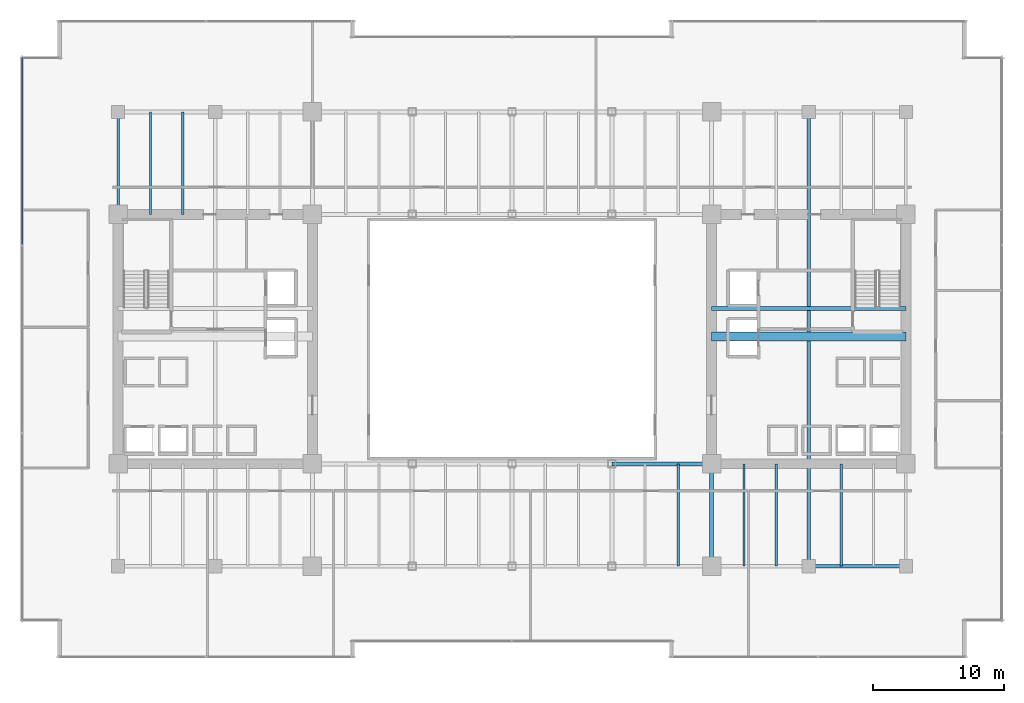
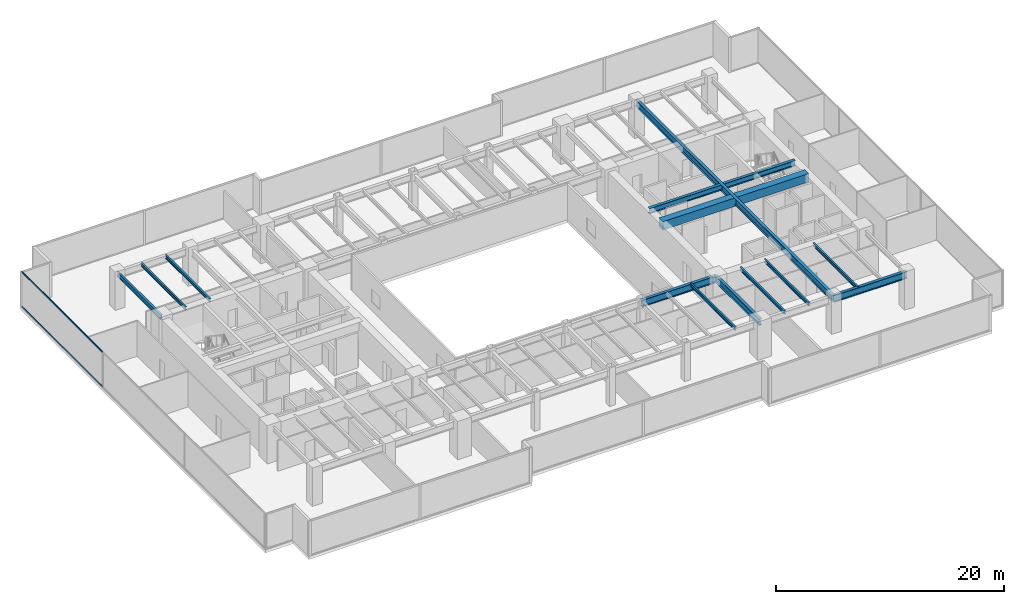
# One storey, part 11 of 35: 13 beams, 2 members, 1 element without a shape of its own.
"""IFC4 building model written with IfcOpenShell, lengths in metres."""

from ifc_helpers import new_model, si_unit, direction, frame, origin, origin_2d, place, context, subcontext, project, spatial, rectangle, hollow_rectangle, i_section, extrude, source, transform, mapped, material, layer, layer_set, material_profile, profile_set, type_object, type_shapes, element, aggregate, save


model = new_model("IFC4")

# Units and contexts
model_context = context("Model", 3, precision=1e-05, world=origin(), true_north=direction((0.0, 1.0)))
body_context = subcontext(model_context, "Body", "Model", "MODEL_VIEW")
ifc_project = project(units=[si_unit("LENGTHUNIT", "METRE"), si_unit("AREAUNIT", "SQUARE_METRE"), si_unit("VOLUMEUNIT", "CUBIC_METRE"), si_unit("PLANEANGLEUNIT", "RADIAN"), si_unit("MASSUNIT", "GRAM", prefix="KILO")], contexts=[model_context])

# Site, building, storey
site_placement = place(None, origin())
site = spatial("IfcSite", under=ifc_project, at=site_placement, CompositionType="ELEMENT")
building_placement = place(site_placement, origin())
building = spatial("IfcBuilding", under=site, at=building_placement, Name="Haelvirn Gate Laboratories", CompositionType="ELEMENT")
storey_placement = place(building_placement, frame((0.0, 0.0, 41.60009765625)))
storey = spatial("IfcBuildingStorey", under=building, at=storey_placement, Name="L10", CompositionType="ELEMENT", Elevation=41.60009765625)

# Beams
ifc_material_1 = material(Name="Concrete C60/75", Category="concrete")
ifc_material_profile_1 = material_profile(ifc_material_1, rectangle(XDim=0.699951171875, YDim=0.89990234375, at=origin_2d()), Name="RCB-700x900")
ifc_profile_set_1 = profile_set([ifc_material_profile_1], Name="Concrete C60/75")
beam_type_1 = type_object("IfcBeamType", Name="BM-RCB-900", PredefinedType="LINTEL", material=ifc_profile_set_1)
shared_shape_1 = source(origin(), body_context, "Body", "SweptSolid", [
    extrude(rectangle(XDim=0.699951171875, YDim=0.89990234375, at=origin_2d()), origin(), (0.0, 0.0, 1.0), 14.7998046875),
])
type_shapes(beam_type_1, [shared_shape_1])
beam_1_placement = place(storey_placement, frame((52.60009765625, 24.5, 3.329833984375), z_axis=(1.0, 0.0, 0.0), x_axis=(0.0, 1.0, 0.0)))
element("IfcBeam", 1, at=beam_1_placement, inside=storey, type_object=beam_type_1, Name="L10 East Core Coupling Beam", PredefinedType="LINTEL", context=body_context, shape_type="MappedRepresentation", body=[
    mapped(shared_shape_1, transform((0.0, 0.0, 0.0), scale=1.0)),
])
ifc_material_2 = material(Name="Steel SM355", Category="steel")
ifc_material_profile_2 = material_profile(ifc_material_2, i_section(OverallWidth=0.300048828125, OverallDepth=0.587890625, WebThickness=0.011962890625, FlangeThickness=0.02001953125, at=origin_2d()), Name="H-588x300x12x20")
ifc_profile_set_2 = profile_set([ifc_material_profile_2], Name="Steel SM355")
beam_type_2 = type_object("IfcBeamType", Name="BM-G-588", PredefinedType="BEAM", material=ifc_profile_set_2)
shared_shape_2 = source(origin(), body_context, "Body", "SweptSolid", [
    extrude(i_section(OverallWidth=0.300048828125, OverallDepth=0.587890625, WebThickness=0.011962890625, FlangeThickness=0.02001953125, at=origin_2d()), origin(), (0.0, 0.0, 1.0), 14.7998046875),
])
type_shapes(beam_type_2, [shared_shape_2])
beam_2_placement = place(storey_placement, frame((52.60009765625, 26.6201171875, 3.48583984375), z_axis=(1.0, 0.0, 0.0), x_axis=(0.0, 1.0, 0.0)))
element("IfcBeam", 2, at=beam_2_placement, inside=storey, type_object=beam_type_2, Name="L10 Stair ST2 Landing Header", PredefinedType="BEAM", context=body_context, shape_type="MappedRepresentation", body=[
    mapped(shared_shape_2, transform((0.0, 0.0, 0.0), scale=1.0)),
])
ifc_material_profile_3 = material_profile(ifc_material_2, i_section(OverallWidth=0.300048828125, OverallDepth=0.699951171875, WebThickness=0.012939453125, FlangeThickness=0.02392578125, at=origin_2d()), Name="H-700x300x13x24")
ifc_profile_set_3 = profile_set([ifc_material_profile_3], Name="Steel SM355")
beam_type_3 = type_object("IfcBeamType", Name="BM-G-700", PredefinedType="BEAM", material=ifc_profile_set_3)
shared_shape_3 = source(origin(), body_context, "Body", "SweptSolid", [
    extrude(i_section(OverallWidth=0.300048828125, OverallDepth=0.699951171875, WebThickness=0.012939453125, FlangeThickness=0.02392578125, at=origin_2d()), origin(), (0.0, 0.0, 1.0), 7.800048828125),
])
beam_3_placement = place(storey_placement, frame((52.60009765625, 7.0, 3.429931640625), z_axis=(0.0, 1.0, 0.0), x_axis=(-1.0, 0.0, 0.0)))
element("IfcBeam", 3, at=beam_3_placement, inside=storey, type_object=beam_type_3, Name="L10 Frame Girder X52.6 (7.0-14.8)", PredefinedType="BEAM", context=body_context, shape_type="MappedRepresentation", body=[
    mapped(shared_shape_3, transform((0.0, 0.0, 0.0), scale=1.0)),
])
shared_shape_4 = source(origin(), body_context, "Body", "SweptSolid", [
    extrude(i_section(OverallWidth=0.300048828125, OverallDepth=0.699951171875, WebThickness=0.012939453125, FlangeThickness=0.02392578125, at=origin_2d()), origin(), (0.0, 0.0, 1.0), 34.60009765625),
])
type_shapes(beam_type_3, [shared_shape_3, shared_shape_4])
beam_4_placement = place(storey_placement, frame((60.0, 7.0, 3.429931640625), z_axis=(0.0, 1.0, 0.0), x_axis=(-1.0, 0.0, 0.0)))
element("IfcBeam", 4, at=beam_4_placement, inside=storey, type_object=beam_type_3, Name="L10 Frame Girder X60.0 (7.0-41.6)", PredefinedType="BEAM", context=body_context, shape_type="MappedRepresentation", body=[
    mapped(shared_shape_4, transform((0.0, 0.0, 0.0), scale=1.0)),
])
ifc_material_profile_4 = material_profile(ifc_material_2, i_section(OverallWidth=0.300048828125, OverallDepth=0.75, WebThickness=0.013916015625, FlangeThickness=0.02392578125, at=origin_2d()), Name="H-750x300x14x24")
ifc_profile_set_4 = profile_set([ifc_material_profile_4], Name="Steel SM355")
beam_type_4 = type_object("IfcBeamType", Name="BM-G-750", PredefinedType="BEAM", material=ifc_profile_set_4)
shared_shape_5 = source(origin(), body_context, "Body", "SweptSolid", [
    extrude(i_section(OverallWidth=0.300048828125, OverallDepth=0.75, WebThickness=0.013916015625, FlangeThickness=0.02392578125, at=origin_2d()), origin(), (0.0, 0.0, 1.0), 7.39990234375),
])
beam_5_placement = place(storey_placement, frame((60.0, 7.0, 3.40478515625), z_axis=(1.0, 0.0, 0.0), x_axis=(0.0, 1.0, 0.0)))
element("IfcBeam", 5, at=beam_5_placement, inside=storey, type_object=beam_type_4, Name="L10 Primary Girder Y7.0 (60.0-67.4)", PredefinedType="BEAM", context=body_context, shape_type="MappedRepresentation", body=[
    mapped(shared_shape_5, transform((0.0, 0.0, 0.0), scale=1.0)),
])
shared_shape_6 = source(origin(), body_context, "Body", "SweptSolid", [
    extrude(i_section(OverallWidth=0.300048828125, OverallDepth=0.75, WebThickness=0.013916015625, FlangeThickness=0.02392578125, at=origin_2d()), origin(), (0.0, 0.0, 1.0), 7.60009765625),
])
type_shapes(beam_type_4, [shared_shape_5, shared_shape_6])
beam_6_placement = place(storey_placement, frame((45.0, 14.800048828125, 3.40478515625), z_axis=(1.0, 0.0, 0.0), x_axis=(0.0, 1.0, 0.0)))
element("IfcBeam", 6, at=beam_6_placement, inside=storey, type_object=beam_type_4, Name="L10 Primary Girder Y14.8 (45.0-52.6)", PredefinedType="BEAM", context=body_context, shape_type="MappedRepresentation", body=[
    mapped(shared_shape_6, transform((0.0, 0.0, 0.0), scale=1.0)),
])
ifc_material_profile_5 = material_profile(ifc_material_2, i_section(OverallWidth=0.199951171875, OverallDepth=0.5, WebThickness=0.010009765625, FlangeThickness=0.01611328125, at=origin_2d()), Name="H-500x200x10x16")
ifc_profile_set_5 = profile_set([ifc_material_profile_5], Name="Steel SM355")
beam_type_5 = type_object("IfcBeamType", Name="BM-SP-500", PredefinedType="SPANDREL", material=ifc_profile_set_5)
shared_shape_7 = source(origin(), body_context, "Body", "SweptSolid", [
    extrude(i_section(OverallWidth=0.199951171875, OverallDepth=0.5, WebThickness=0.010009765625, FlangeThickness=0.01611328125, at=origin_2d()), origin(), (0.0, 0.0, 1.0), 7.800048828125),
])
type_shapes(beam_type_5, [shared_shape_7])
beam_7_placement = place(storey_placement, frame((7.39990234375, 33.800048828125, 3.52978515625), z_axis=(0.0, 1.0, 0.0), x_axis=(-1.0, 0.0, 0.0)))
element("IfcBeam", 7, at=beam_7_placement, inside=storey, type_object=beam_type_5, Name="L10 Perimeter Spandrel X7.4 (33.8-41.6)", PredefinedType="SPANDREL", context=body_context, shape_type="MappedRepresentation", body=[
    mapped(shared_shape_7, transform((0.0, 0.0, 0.0), scale=1.0)),
])
ifc_material_profile_6 = material_profile(ifc_material_2, i_section(OverallWidth=0.175048828125, OverallDepth=0.35009765625, WebThickness=0.007080078125, FlangeThickness=0.010986328125, at=origin_2d()), Name="H-350x175x7x11")
ifc_profile_set_6 = profile_set([ifc_material_profile_6], Name="Steel SM355")
beam_type_6 = type_object("IfcBeamType", Name="BM-J-350", PredefinedType="JOIST", material=ifc_profile_set_6)
shared_shape_8 = source(origin(), body_context, "Body", "SweptSolid", [
    extrude(i_section(OverallWidth=0.175048828125, OverallDepth=0.35009765625, WebThickness=0.007080078125, FlangeThickness=0.010986328125, at=origin_2d()), origin(), (0.0, 0.0, 1.0), 7.800048828125),
])
type_shapes(beam_type_6, [shared_shape_8])
for number, where, z_axis, x_axis, name in (
    (8, (9.8701171875, 33.800048828125, 3.60498046875), (0.0, 1.0, 0.0), (-1.0, 0.0, 0.0), "L10 Composite Lab Joist North X9.87"),
    (9, (12.330078125, 33.800048828125, 3.60498046875), (0.0, 1.0, 0.0), (-1.0, 0.0, 0.0), "L10 Composite Lab Joist North X12.33"),
    (10, (50.070068359375, 7.0, 3.60498046875), (0.0, 1.0, 0.0), (-1.0, 0.0, 0.0), "L10 Composite Lab Joist South X50.07"),
    (11, (55.070068359375, 7.0, 3.60498046875), (0.0, 1.0, 0.0), (-1.0, 0.0, 0.0), "L10 Composite Lab Joist South X55.07"),
    (12, (57.530029296875, 7.0, 3.60498046875), (0.0, 1.0, 0.0), (-1.0, 0.0, 0.0), "L10 Composite Lab Joist South X57.53"),
    (13, (62.469970703125, 7.0, 3.60498046875), (0.0, 1.0, 0.0), (-1.0, 0.0, 0.0), "L10 Composite Lab Joist South X62.47"),
):
    element("IfcBeam", number, at=place(storey_placement, frame(where, z_axis=z_axis, x_axis=x_axis)), inside=storey, type_object=beam_type_6, Name=name, PredefinedType="JOIST", context=body_context, shape_type="MappedRepresentation", body=[
        mapped(shared_shape_8, transform((0.0, 0.0, 0.0), scale=1.0)),
    ])

# Curtain wall, members
ifc_material_3 = material(Name="Anodised bronze unitised aluminium & triple low-E glass", Category="aluminium")
ifc_layer = layer(ifc_material_3, 0.18408203125, Name="CW-SYS-2")
ifc_layer_set = layer_set([ifc_layer], Name="Anodised bronze unitised aluminium & triple low-E glass")
curtain_wall_type = type_object("IfcCurtainWallType", Name="CW-SYS-2", PredefinedType="NOTDEFINED", material=ifc_layer_set)
curtain_wall_placement = place(storey_placement, origin())
curtain_wall = element("IfcCurtainWall", 14, at=curtain_wall_placement, inside=storey, type_object=curtain_wall_type, Name="L10 Unitised Curtain Wall CW-L10-P0-E17", PredefinedType="NOTDEFINED")
ifc_material_4 = material(Name="Extruded aluminium 6063-T6 (anodised bronze)", Category="aluminium")
ifc_material_profile_7 = material_profile(ifc_material_4, hollow_rectangle(XDim=0.070068359375, YDim=0.159912109375, WallThickness=0.0048828125, at=origin_2d()), Name="CWT-160x70x5")
ifc_profile_set_7 = profile_set([ifc_material_profile_7], Name="Extruded aluminium 6063-T6 (anodised bronze)")
member_type = type_object("IfcMemberType", Name="CWT-T160", PredefinedType="USERDEFINED", material=ifc_profile_set_7)
shared_shape_9 = source(origin(), body_context, "Body", "SweptSolid", [
    extrude(hollow_rectangle(XDim=0.070068359375, YDim=0.159912109375, WallThickness=0.0048828125, at=origin_2d()), origin(), (0.0, 0.0, 1.0), 14.220947265625),
])
type_shapes(member_type, [shared_shape_9])
member_1_placement = place(storey_placement, frame((0.10009765625, 45.72509765625, 0.034912109375), z_axis=(0.0, -1.0, 0.0), x_axis=(1.0, 0.0, 0.0)))
member_1 = element("IfcMember", 15, at=member_1_placement, type_object=member_type, Name="CW2 transom 1.1", ObjectType="TRANSOM", PredefinedType="USERDEFINED", context=body_context, shape_type="MappedRepresentation", body=[
    mapped(shared_shape_9, transform((0.0, 0.0, 0.0), scale=1.0)),
])
member_2_placement = place(storey_placement, frame((0.10009765625, 45.72509765625, 3.744873046875), z_axis=(0.0, -1.0, 0.0), x_axis=(1.0, 0.0, 0.0)))
member_2 = element("IfcMember", 16, at=member_2_placement, type_object=member_type, Name="CW2 transom 1.2", ObjectType="TRANSOM", PredefinedType="USERDEFINED", context=body_context, shape_type="MappedRepresentation", body=[
    mapped(shared_shape_9, transform((0.0, 0.0, 0.0), scale=1.0)),
])
aggregate(curtain_wall, [member_1, member_2])

save(model, "model.ifc")
